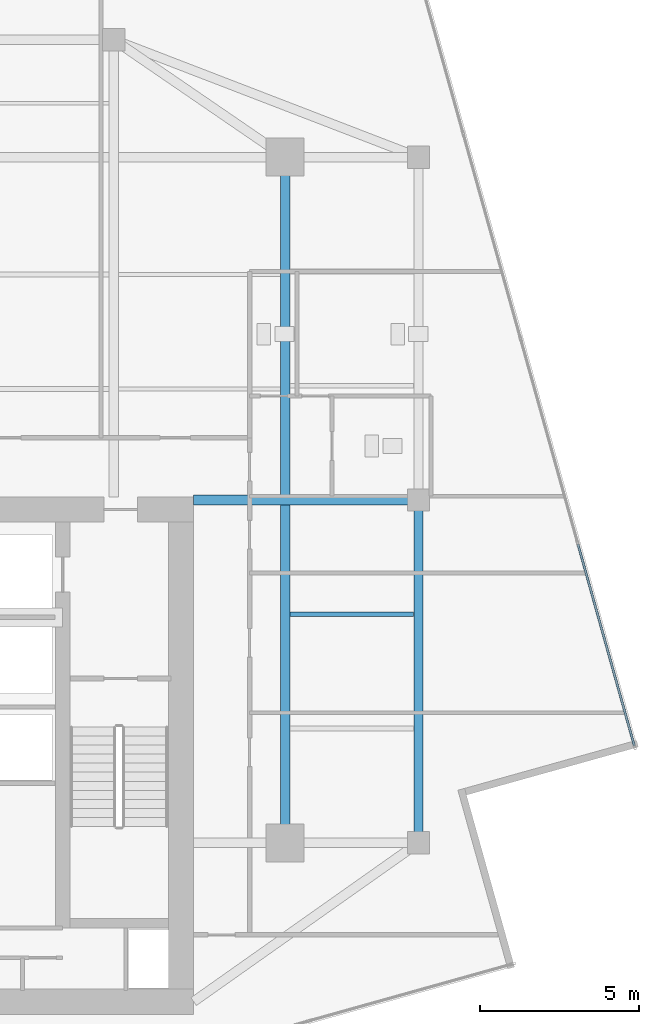
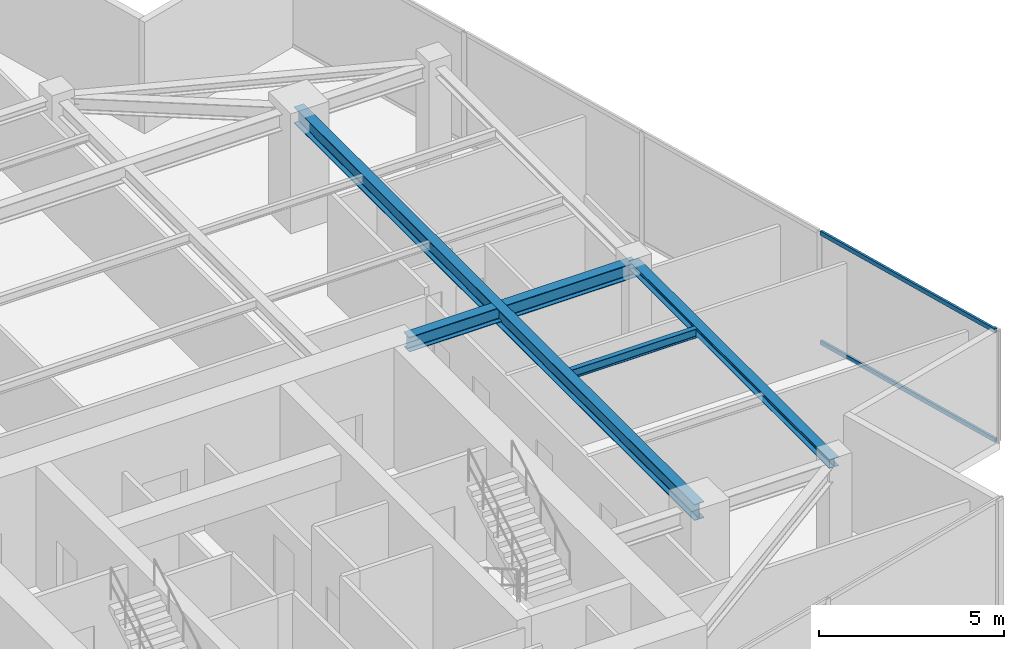
# One storey, part 10 of 20: 4 beams, 2 members, 1 element without a shape of its own.
"""IFC4 building model written with IfcOpenShell, lengths in metres."""

from ifc_helpers import new_model, si_unit, direction, frame, origin, origin_2d, place, context, subcontext, project, spatial, hollow_rectangle, i_section, extrude, source, transform, mapped, material, material_profile, profile_set, type_object, type_shapes, element, aggregate, save


model = new_model("IFC4")

# Units and contexts
model_context = context("Model", 3, precision=1e-05, world=origin(), true_north=direction((0.0, 1.0)))
body_context = subcontext(model_context, "Body", "Model", "MODEL_VIEW")
ifc_project = project(units=[si_unit("LENGTHUNIT", "METRE"), si_unit("AREAUNIT", "SQUARE_METRE"), si_unit("VOLUMEUNIT", "CUBIC_METRE"), si_unit("PLANEANGLEUNIT", "RADIAN"), si_unit("MASSUNIT", "GRAM", prefix="KILO")], contexts=[model_context])

# Site, building, storey
site_placement = place(None, origin())
site = spatial("IfcSite", under=ifc_project, at=site_placement, CompositionType="ELEMENT")
building_placement = place(site_placement, origin())
building = spatial("IfcBuilding", under=site, at=building_placement, Name="Krantzveldt Concourse Tower", CompositionType="ELEMENT")
storey_placement = place(building_placement, frame((0.0, 0.0, 351.39990234375)))
storey = spatial("IfcBuildingStorey", under=building, at=storey_placement, Name="L86", CompositionType="ELEMENT", Elevation=351.39990234375)

# Beams
ifc_material_1 = material(Name="Steel S355JR", Category="steel")
ifc_material_profile_1 = material_profile(ifc_material_1, i_section(OverallWidth=0.300048828125, OverallDepth=0.489990234375, WebThickness=0.011962890625, FlangeThickness=0.02294921875, FilletRadius=0.027099609375, at=origin_2d()), Name="Steel S355JR", Category="steel")
ifc_profile_set_1 = profile_set([ifc_material_profile_1], Name="Steel S355JR - HEA 500")
beam_type_1 = type_object("IfcBeamType", Name="BM-B-HEA500", PredefinedType="BEAM", material=ifc_profile_set_1)
shared_shape_1 = source(origin(), body_context, "Body", "SweptSolid", [
    extrude(i_section(OverallWidth=0.300048828125, OverallDepth=0.489990234375, WebThickness=0.011962890625, FlangeThickness=0.02294921875, FilletRadius=0.027099609375, at=origin_2d()), origin(), (0.0, 0.0, 1.0), 7.080078125),
])
type_shapes(beam_type_1, [shared_shape_1])
beam_1_placement = place(storey_placement, frame((43.919921875, 26.699951171875, 3.425048828125), z_axis=(1.0, 0.0, 0.0), x_axis=(0.0, 1.0, 0.0)))
element("IfcBeam", 1, at=beam_1_placement, inside=storey, type_object=beam_type_1, Name="L86 Tower Girder BG-CE2", PredefinedType="BEAM", context=body_context, shape_type="MappedRepresentation", body=[
    mapped(shared_shape_1, transform((0.0, 0.0, 0.0), x_axis=(1.0, 0.0, 0.0), y_axis=(0.0, 1.0, 0.0), z_axis=(0.0, 0.0, 1.0), scale=1.0)),
])
ifc_material_profile_2 = material_profile(ifc_material_1, i_section(OverallWidth=0.300048828125, OverallDepth=0.5400390625, WebThickness=0.012451171875, FlangeThickness=0.02392578125, FilletRadius=0.027099609375, at=origin_2d()), Name="Steel S355JR", Category="steel")
ifc_profile_set_2 = profile_set([ifc_material_profile_2], Name="Steel S355JR - HEA 550")
beam_type_2 = type_object("IfcBeamType", Name="BM-B-HEA550", PredefinedType="BEAM", material=ifc_profile_set_2)
shared_shape_2 = source(origin(), body_context, "Body", "SweptSolid", [
    extrude(i_section(OverallWidth=0.300048828125, OverallDepth=0.5400390625, WebThickness=0.012451171875, FlangeThickness=0.02392578125, FilletRadius=0.027099609375, at=origin_2d()), origin(), (0.0, 0.0, 1.0), 21.60009765625),
])
type_shapes(beam_type_2, [shared_shape_2])
beam_2_placement = place(storey_placement, frame((46.800048828125, 15.89990234375, 3.400146484375), z_axis=(0.0, 1.0, 0.0), x_axis=(-1.0, 0.0, 0.0)))
element("IfcBeam", 2, at=beam_2_placement, inside=storey, type_object=beam_type_2, Name="L86 Tower Girder BG-ME", PredefinedType="BEAM", context=body_context, shape_type="MappedRepresentation", body=[
    mapped(shared_shape_2, transform((0.0, 0.0, 0.0), x_axis=(1.0, 0.0, 0.0), y_axis=(0.0, 1.0, 0.0), z_axis=(0.0, 0.0, 1.0), scale=1.0)),
])
ifc_material_profile_3 = material_profile(ifc_material_1, i_section(OverallWidth=0.2900390625, OverallDepth=0.2900390625, WebThickness=0.008544921875, FlangeThickness=0.013916015625, FilletRadius=0.027099609375, at=origin_2d()), Name="Steel S355JR", Category="steel")
ifc_profile_set_3 = profile_set([ifc_material_profile_3], Name="Steel S355JR - HEA 300")
beam_type_3 = type_object("IfcBeamType", Name="BM-SP-HEA300", PredefinedType="SPANDREL", material=ifc_profile_set_3)
shared_shape_3 = source(origin(), body_context, "Body", "SweptSolid", [
    extrude(i_section(OverallWidth=0.2900390625, OverallDepth=0.2900390625, WebThickness=0.008544921875, FlangeThickness=0.013916015625, FilletRadius=0.027099609375, at=origin_2d()), origin(), (0.0, 0.0, 1.0), 10.800048828125),
])
type_shapes(beam_type_3, [shared_shape_3])
beam_3_placement = place(storey_placement, frame((51.0, 26.699951171875, 3.525146484375), z_axis=(0.0, -1.0, 0.0), x_axis=(1.0, 0.0, 0.0)))
element("IfcBeam", 3, at=beam_3_placement, inside=storey, type_object=beam_type_3, Name="L86 Tower Girder SP-R07", PredefinedType="SPANDREL", context=body_context, shape_type="MappedRepresentation", body=[
    mapped(shared_shape_3, transform((0.0, 0.0, 0.0), x_axis=(1.0, 0.0, 0.0), y_axis=(0.0, 1.0, 0.0), z_axis=(0.0, 0.0, 1.0), scale=1.0)),
])
ifc_material_profile_4 = material_profile(ifc_material_1, i_section(OverallWidth=0.14990234375, OverallDepth=0.300048828125, WebThickness=0.007080078125, FlangeThickness=0.0107421875, FilletRadius=0.014892578125, at=origin_2d()), Name="Steel S355JR", Category="steel")
ifc_profile_set_4 = profile_set([ifc_material_profile_4], Name="Steel S355JR - IPE 300")
beam_type_4 = type_object("IfcBeamType", Name="BM-J-IPE300", PredefinedType="JOIST", material=ifc_profile_set_4)
shared_shape_4 = source(origin(), body_context, "Body", "SweptSolid", [
    extrude(i_section(OverallWidth=0.14990234375, OverallDepth=0.300048828125, WebThickness=0.007080078125, FlangeThickness=0.0107421875, FilletRadius=0.014892578125, at=origin_2d()), origin(), (0.0, 0.0, 1.0), 3.900146484375),
])
type_shapes(beam_type_4, [shared_shape_4])
beam_4_placement = place(storey_placement, frame((46.949951171875, 23.10009765625, 3.52001953125), z_axis=(1.0, 0.0, 0.0), x_axis=(0.0, 1.0, 0.0)))
element("IfcBeam", 4, at=beam_4_placement, inside=storey, type_object=beam_type_4, Name="L86 Secondary Floor Joist JE-2", PredefinedType="JOIST", context=body_context, shape_type="MappedRepresentation", body=[
    mapped(shared_shape_4, transform((0.0, 0.0, 0.0), x_axis=(1.0, 0.0, 0.0), y_axis=(0.0, 1.0, 0.0), z_axis=(0.0, 0.0, 1.0), scale=1.0)),
])

# Curtain wall, members
ifc_material_2 = material(Name="Anodised aluminium 6063-T6", Category="aluminium")
curtain_wall_type = type_object("IfcCurtainWallType", Name="CW4", PredefinedType="USERDEFINED", material=ifc_material_2)
curtain_wall_placement = place(storey_placement, origin())
curtain_wall = element("IfcCurtainWall", 5, at=curtain_wall_placement, inside=storey, type_object=curtain_wall_type, Name="CW-L86-F10", ObjectType="UNITISED CURTAIN WALL", PredefinedType="USERDEFINED")
ifc_material_profile_5 = material_profile(ifc_material_2, hollow_rectangle(XDim=0.070068359375, YDim=0.139892578125, WallThickness=0.0048828125, at=origin_2d()), Name="Anodised aluminium 6063-T6", Category="aluminium")
ifc_profile_set_5 = profile_set([ifc_material_profile_5], Name="Anodised aluminium 6063-T6 - ALU-TRAN 140x70x5")
member_type = type_object("IfcMemberType", Name="CW-TRN-150", PredefinedType="USERDEFINED", material=ifc_profile_set_5)
shared_shape_5 = source(origin(), body_context, "Body", "SweptSolid", [
    extrude(hollow_rectangle(XDim=0.070068359375, YDim=0.139892578125, WallThickness=0.0048828125, at=origin_2d()), origin(), (0.0, 0.0, 1.0), 6.594970703125),
])
type_shapes(member_type, [shared_shape_5])
member_1_placement = place(storey_placement, frame((57.801513671875, 18.955810546875, 0.03515625), z_axis=(-0.269348428694, 0.963042794459, 0.0), x_axis=(-0.963042794459, -0.269348428694, 0.0)))
member_1 = element("IfcMember", 6, at=member_1_placement, type_object=member_type, Name="CW-Z56 transom 1.1", ObjectType="TRANSOM", PredefinedType="USERDEFINED", context=body_context, shape_type="MappedRepresentation", body=[
    mapped(shared_shape_5, transform((0.0, 0.0, 0.0), x_axis=(1.0, 0.0, 0.0), y_axis=(0.0, 1.0, 0.0), z_axis=(0.0, 0.0, 1.0), scale=1.0)),
])
member_2_placement = place(storey_placement, frame((57.801513671875, 18.955810546875, 3.635009765625), z_axis=(-0.269348428694, 0.963042794459, 0.0), x_axis=(-0.963042794459, -0.269348428694, 0.0)))
member_2 = element("IfcMember", 7, at=member_2_placement, type_object=member_type, Name="CW-Z56 transom 1.2", ObjectType="TRANSOM", PredefinedType="USERDEFINED", context=body_context, shape_type="MappedRepresentation", body=[
    mapped(shared_shape_5, transform((0.0, 0.0, 0.0), x_axis=(1.0, 0.0, 0.0), y_axis=(0.0, 1.0, 0.0), z_axis=(0.0, 0.0, 1.0), scale=1.0)),
])
aggregate(curtain_wall, [member_1, member_2])

save(model, "model.ifc")
